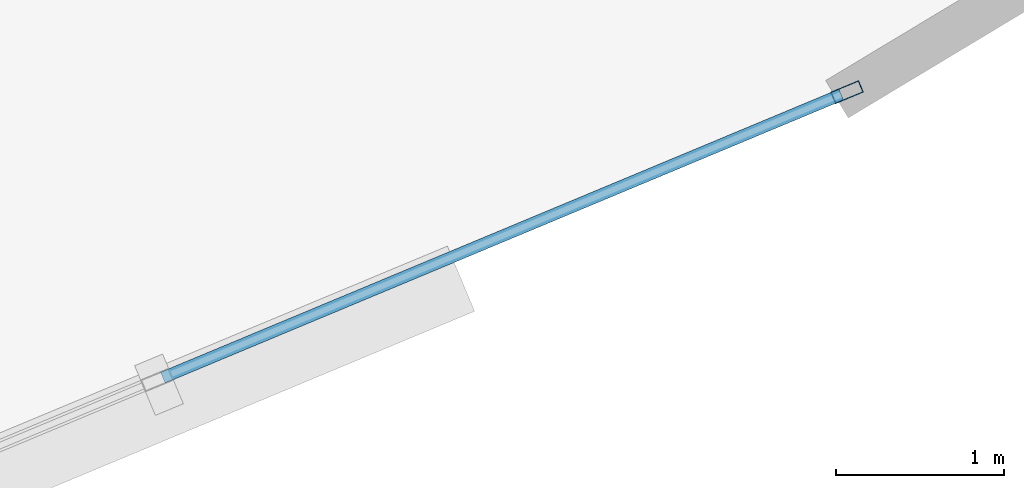
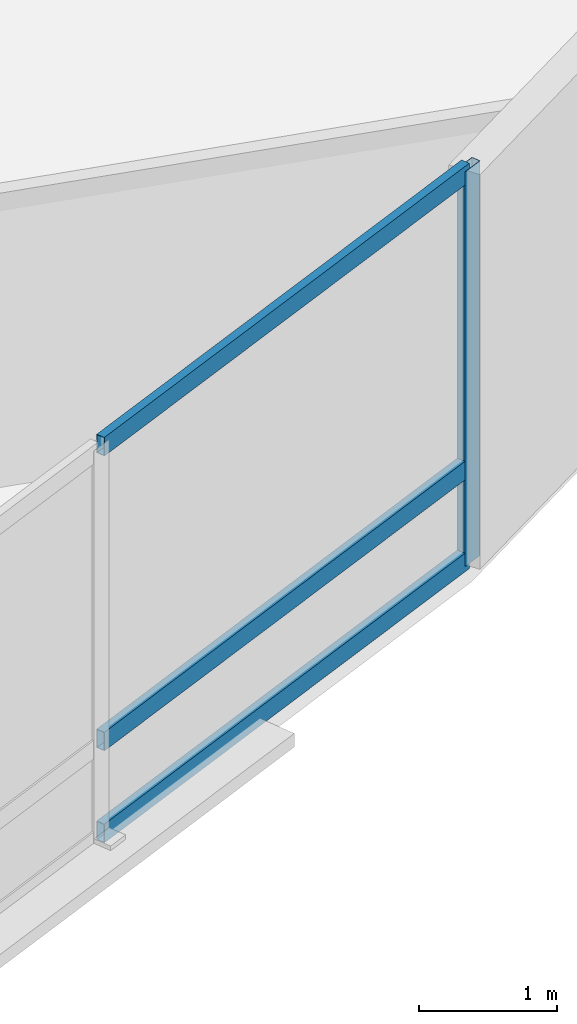
# One storey, part 10 of 18: 4 members, 1 element without a shape of its own.
"""IFC4 building model written with IfcOpenShell, lengths in metres."""

from ifc_helpers import new_model, si_unit, direction, frame, origin, origin_2d, place, context, subcontext, project, spatial, hollow_rectangle, extrude, material, layer, layer_set, material_profile, profile_set, type_object, element, aggregate, save


model = new_model("IFC4")

# Units and contexts
model_context = context("Model", 3, precision=1e-05, world=origin(), true_north=direction((0.0, 1.0)))
body_context = subcontext(model_context, "Body", "Model", "MODEL_VIEW")
ifc_project = project(units=[si_unit("LENGTHUNIT", "METRE"), si_unit("AREAUNIT", "SQUARE_METRE"), si_unit("VOLUMEUNIT", "CUBIC_METRE"), si_unit("PLANEANGLEUNIT", "RADIAN"), si_unit("MASSUNIT", "GRAM", prefix="KILO")], contexts=[model_context])

# Site, building, storey
site_placement = place(None, origin())
site = spatial("IfcSite", under=ifc_project, at=site_placement, CompositionType="ELEMENT")
building_placement = place(site_placement, origin())
building = spatial("IfcBuilding", under=site, at=building_placement, Name="Menara Vayukalpa", CompositionType="ELEMENT")
storey_placement = place(building_placement, frame((0.0, 0.0, 158.0400390625)))
storey = spatial("IfcBuildingStorey", under=building, at=storey_placement, Name="L39", CompositionType="ELEMENT", Elevation=158.0400390625)

# Curtain wall, members
ifc_material_1 = material(Name="Anodised Terracotta Aluminium Alloy 6063-T6", Category="masonry")
ifc_layer = layer(ifc_material_1, 0.179931640625)
ifc_layer_set = layer_set([ifc_layer], Name="Anodised Terracotta Aluminium Alloy 6063-T6")
curtain_wall_type = type_object("IfcCurtainWallType", Name="CW-CW4", PredefinedType="USERDEFINED", material=ifc_layer_set)
curtain_wall_placement = place(storey_placement, origin())
curtain_wall = element("IfcCurtainWall", 1, at=curtain_wall_placement, inside=storey, type_object=curtain_wall_type, Name="L39 Sky Bar Cantilever Glazed Curtain Wall CW4 17", ObjectType="UNITISED", PredefinedType="USERDEFINED")
ifc_material_2 = material(Name="Anodised Terracotta Aluminium Alloy 6063-T6", Category="masonry")
ifc_material_profile_1 = material_profile(ifc_material_2, hollow_rectangle(XDim=0.074951171875, YDim=0.179931640625, WallThickness=0.00390625, at=origin_2d()), Name="ALU 75x180x4")
ifc_profile_set_1 = profile_set([ifc_material_profile_1], Name="Anodised Terracotta Aluminium Alloy 6063-T6")
member_type_1 = type_object("IfcMemberType", Name="CWM-CW4", PredefinedType="MULLION", material=ifc_profile_set_1)
member_1_placement = place(storey_placement, frame((46.20068359375, 14.960205078125, 0.0), z_axis=(0.0, 0.0, 1.0), x_axis=(-0.385091352437, 0.922878459104, 0.0)))
member_1 = element("IfcMember", 2, at=member_1_placement, type_object=member_type_1, Name="CW4 mullion 3", PredefinedType="MULLION", context=body_context, shape_type="SweptSolid", body=[
    extrude(hollow_rectangle(XDim=0.074951171875, YDim=0.179931640625, WallThickness=0.00390625, at=origin_2d()), origin(), (0.0, 0.0, 1.0), 3.5),
])
ifc_material_3 = material(Name="Anodised Terracotta Aluminium Alloy 6063-T6", Category="masonry")
ifc_material_profile_2 = material_profile(ifc_material_3, hollow_rectangle(XDim=0.070068359375, YDim=0.1650390625, WallThickness=0.00390625, at=origin_2d()), Name="ALU 70x165x4")
ifc_profile_set_2 = profile_set([ifc_material_profile_2], Name="Anodised Terracotta Aluminium Alloy 6063-T6")
member_type_2 = type_object("IfcMemberType", Name="CWT-CW4", PredefinedType="USERDEFINED", material=ifc_profile_set_2)
member_2_placement = place(storey_placement, frame((42.133056640625, 13.262939453125, 0.034912109375), z_axis=(0.9228767989, 0.385095331123, 0.0), x_axis=(-0.385095331123, 0.9228767989, 0.0)))
member_2 = element("IfcMember", 3, at=member_2_placement, type_object=member_type_2, Name="CW4 transom 2.1", ObjectType="TRANSOM", PredefinedType="USERDEFINED", context=body_context, shape_type="SweptSolid", body=[
    extrude(hollow_rectangle(XDim=0.070068359375, YDim=0.1650390625, WallThickness=0.00390625, at=origin_2d()), origin(), (0.0, 0.0, 1.0), 4.369873046875),
])
member_3_placement = place(storey_placement, frame((42.133056640625, 13.262939453125, 0.849853515625), z_axis=(0.9228767989, 0.385095331123, 0.0), x_axis=(-0.385095331123, 0.9228767989, 0.0)))
member_3 = element("IfcMember", 4, at=member_3_placement, type_object=member_type_2, Name="CW4 transom 2.2", ObjectType="TRANSOM", PredefinedType="USERDEFINED", context=body_context, shape_type="SweptSolid", body=[
    extrude(hollow_rectangle(XDim=0.070068359375, YDim=0.1650390625, WallThickness=0.00390625, at=origin_2d()), origin(), (0.0, 0.0, 1.0), 4.369873046875),
])
member_4_placement = place(storey_placement, frame((42.133056640625, 13.262939453125, 3.46484375), z_axis=(0.9228767989, 0.385095331123, 0.0), x_axis=(-0.385095331123, 0.9228767989, 0.0)))
member_4 = element("IfcMember", 5, at=member_4_placement, type_object=member_type_2, Name="CW4 transom 2.3", ObjectType="TRANSOM", PredefinedType="USERDEFINED", context=body_context, shape_type="SweptSolid", body=[
    extrude(hollow_rectangle(XDim=0.070068359375, YDim=0.1650390625, WallThickness=0.00390625, at=origin_2d()), origin(), (0.0, 0.0, 1.0), 4.369873046875),
])
aggregate(curtain_wall, [member_1, member_2, member_3, member_4])

save(model, "model.ifc")
